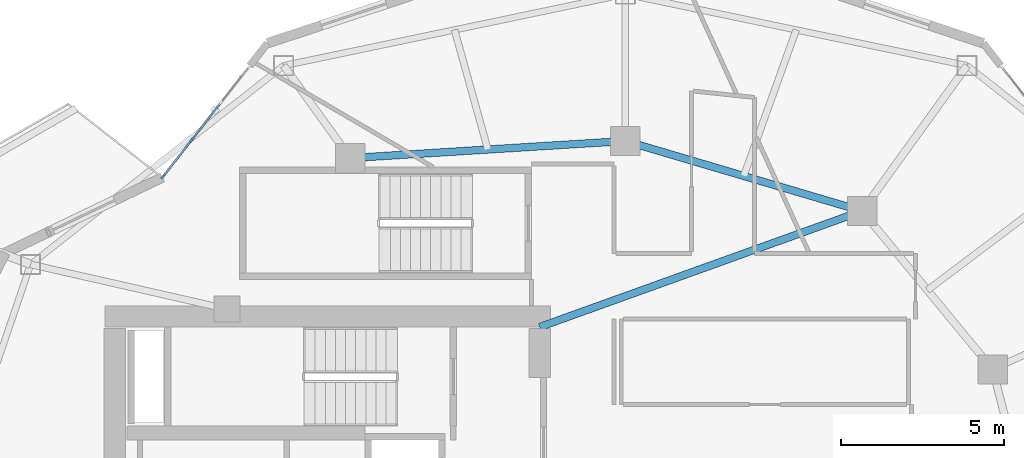
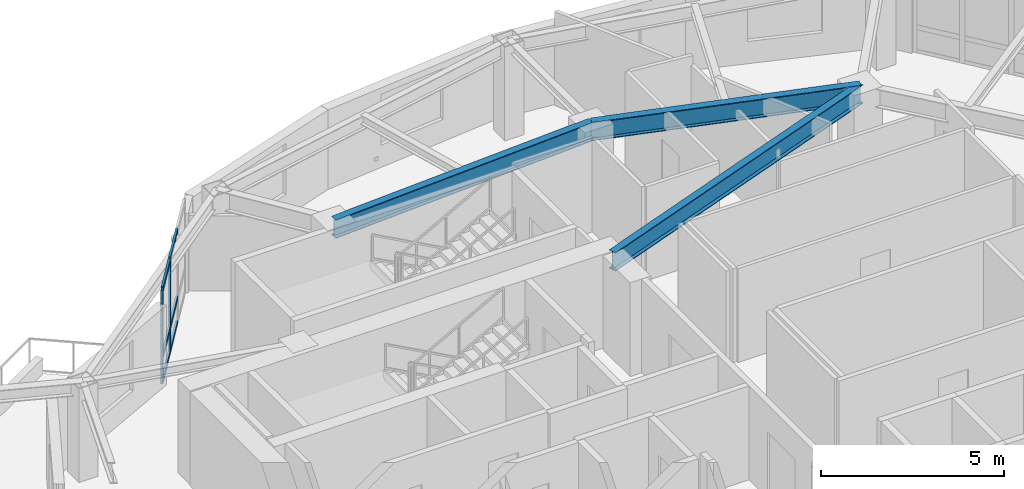
# One storey, part 2 of 13: 8 members, 3 beams, 1 element without a shape of its own.
"""IFC4 building model written with IfcOpenShell, lengths in metres."""

from ifc_helpers import new_model, si_unit, direction, frame, origin, origin_2d, place, context, subcontext, project, spatial, rectangle, i_section, extrude, material, layer, layer_set, material_profile, profile_set, type_object, element, aggregate, save


model = new_model("IFC4")

# Units and contexts
model_context = context("Model", 3, precision=1e-05, world=origin(), true_north=direction((0.0, 1.0)))
body_context = subcontext(model_context, "Body", "Model", "MODEL_VIEW")
ifc_project = project(units=[si_unit("LENGTHUNIT", "METRE"), si_unit("AREAUNIT", "SQUARE_METRE"), si_unit("VOLUMEUNIT", "CUBIC_METRE"), si_unit("PLANEANGLEUNIT", "RADIAN"), si_unit("MASSUNIT", "GRAM", prefix="KILO")], contexts=[model_context])

# Site, building, storey
site_placement = place(None, origin())
site = spatial("IfcSite", under=ifc_project, at=site_placement, CompositionType="ELEMENT")
building_placement = place(site_placement, origin())
building = spatial("IfcBuilding", under=site, at=building_placement, Name="Kolvaren Gate Tower and Convention Centre", CompositionType="ELEMENT")
storey_placement = place(building_placement, frame((0.0, 0.0, 142.699951171875)))
storey = spatial("IfcBuildingStorey", under=building, at=storey_placement, Name="L36", CompositionType="ELEMENT", Elevation=142.699951171875)

# Curtain wall, members
ifc_material_1 = material(Name="Anodized Architectural Aluminium Alloy 6063-T6", Category="aluminium")
ifc_layer = layer(ifc_material_1, 0.159912109375)
ifc_layer_set = layer_set([ifc_layer], Name="Anodized Architectural Aluminium Alloy 6063-T6")
curtain_wall_type = type_object("IfcCurtainWallType", Name="CW-HTL-UNIT", PredefinedType="NOTDEFINED", material=ifc_layer_set)
curtain_wall_placement = place(storey_placement, origin())
curtain_wall = element("IfcCurtainWall", 1, at=curtain_wall_placement, inside=storey, type_object=curtain_wall_type, Name="Tower L36 Unitised Curtain Wall CW-HTL-UNIT Bay 08", PredefinedType="NOTDEFINED")
ifc_material_profile_1 = material_profile(ifc_material_1, rectangle(XDim=0.06494140625, YDim=0.159912109375, at=origin_2d()), Name="CW-MEM-MUL-160")
ifc_profile_set_1 = profile_set([ifc_material_profile_1], Name="Anodized Architectural Aluminium Alloy 6063-T6")
member_type_1 = type_object("IfcMemberType", Name="CW-MEM-MUL-160", PredefinedType="MULLION", material=ifc_profile_set_1)
member_1_placement = place(storey_placement, frame((15.95654296875, 38.111572265625, 0.0), z_axis=(0.0, 0.0, 1.0), x_axis=(-0.787394793807, 0.616449056034, 0.0)))
member_1 = element("IfcMember", 2, at=member_1_placement, type_object=member_type_1, Name="CW-03 mullion 1", PredefinedType="MULLION", context=body_context, shape_type="SweptSolid", body=[
    extrude(rectangle(XDim=0.06494140625, YDim=0.159912109375, at=origin_2d()), origin(), (0.0, 0.0, 1.0), 3.130126953125),
])
member_2_placement = place(storey_placement, frame((16.829833984375, 39.22705078125, 0.0), z_axis=(0.0, 0.0, 1.0), x_axis=(-0.787394793807, 0.616449056034, 0.0)))
member_2 = element("IfcMember", 3, at=member_2_placement, type_object=member_type_1, Name="CW-03 mullion 2", PredefinedType="MULLION", context=body_context, shape_type="SweptSolid", body=[
    extrude(rectangle(XDim=0.06494140625, YDim=0.159912109375, at=origin_2d()), origin(), (0.0, 0.0, 1.0), 3.130126953125),
])
ifc_material_profile_2 = material_profile(ifc_material_1, rectangle(XDim=0.06494140625, YDim=0.159912109375, at=origin_2d()), Name="CW-MEM-TRN-160")
ifc_profile_set_2 = profile_set([ifc_material_profile_2], Name="Anodized Architectural Aluminium Alloy 6063-T6")
member_type_2 = type_object("IfcMemberType", Name="CW-MEM-TRN-160", PredefinedType="USERDEFINED", material=ifc_profile_set_2)
member_3_placement = place(storey_placement, frame((15.9765625, 38.13720703125, 0.032470703125), z_axis=(0.616488451497, 0.787363949626, 0.0), x_axis=(-0.787363949626, 0.616488451497, 0.0)))
member_3 = element("IfcMember", 4, at=member_3_placement, type_object=member_type_2, Name="CW-03 transom 1.1", ObjectType="TRANSOM", PredefinedType="USERDEFINED", context=body_context, shape_type="SweptSolid", body=[
    extrude(rectangle(XDim=0.06494140625, YDim=0.159912109375, at=origin_2d()), origin(), (0.0, 0.0, 1.0), 1.3515625),
])
member_4_placement = place(storey_placement, frame((15.9765625, 38.13720703125, 0.85009765625), z_axis=(0.616488451497, 0.787363949626, 0.0), x_axis=(-0.787363949626, 0.616488451497, 0.0)))
member_4 = element("IfcMember", 5, at=member_4_placement, type_object=member_type_2, Name="CW-03 transom 1.2", ObjectType="TRANSOM", PredefinedType="USERDEFINED", context=body_context, shape_type="SweptSolid", body=[
    extrude(rectangle(XDim=0.06494140625, YDim=0.159912109375, at=origin_2d()), origin(), (0.0, 0.0, 1.0), 1.3515625),
])
member_5_placement = place(storey_placement, frame((15.9765625, 38.13720703125, 3.09765625), z_axis=(0.616488451497, 0.787363949626, 0.0), x_axis=(-0.787363949626, 0.616488451497, 0.0)))
member_5 = element("IfcMember", 6, at=member_5_placement, type_object=member_type_2, Name="CW-03 transom 1.3", ObjectType="TRANSOM", PredefinedType="USERDEFINED", context=body_context, shape_type="SweptSolid", body=[
    extrude(rectangle(XDim=0.06494140625, YDim=0.159912109375, at=origin_2d()), origin(), (0.0, 0.0, 1.0), 1.3515625),
])
member_6_placement = place(storey_placement, frame((16.849853515625, 39.25244140625, 0.032470703125), z_axis=(0.616355825524, 0.787467774796, 0.0), x_axis=(-0.787467774796, 0.616355825524, 0.0)))
member_6 = element("IfcMember", 7, at=member_6_placement, type_object=member_type_2, Name="CW-03 transom 2.1", ObjectType="TRANSOM", PredefinedType="USERDEFINED", context=body_context, shape_type="SweptSolid", body=[
    extrude(rectangle(XDim=0.06494140625, YDim=0.159912109375, at=origin_2d()), origin(), (0.0, 0.0, 1.0), 1.384033203125),
])
member_7_placement = place(storey_placement, frame((16.849853515625, 39.25244140625, 0.85009765625), z_axis=(0.616355825524, 0.787467774796, 0.0), x_axis=(-0.787467774796, 0.616355825524, 0.0)))
member_7 = element("IfcMember", 8, at=member_7_placement, type_object=member_type_2, Name="CW-03 transom 2.2", ObjectType="TRANSOM", PredefinedType="USERDEFINED", context=body_context, shape_type="SweptSolid", body=[
    extrude(rectangle(XDim=0.06494140625, YDim=0.159912109375, at=origin_2d()), origin(), (0.0, 0.0, 1.0), 1.384033203125),
])
member_8_placement = place(storey_placement, frame((16.849853515625, 39.25244140625, 3.09765625), z_axis=(0.616355825524, 0.787467774796, 0.0), x_axis=(-0.787467774796, 0.616355825524, 0.0)))
member_8 = element("IfcMember", 9, at=member_8_placement, type_object=member_type_2, Name="CW-03 transom 2.3", ObjectType="TRANSOM", PredefinedType="USERDEFINED", context=body_context, shape_type="SweptSolid", body=[
    extrude(rectangle(XDim=0.06494140625, YDim=0.159912109375, at=origin_2d()), origin(), (0.0, 0.0, 1.0), 1.384033203125),
])
aggregate(curtain_wall, [member_1, member_2, member_3, member_4, member_5, member_6, member_7, member_8])

# Beams
ifc_material_2 = material(Name="Structural steel ASTM A992 Grade 345 MPa", Category="steel")
ifc_material_profile_3 = material_profile(ifc_material_2, i_section(OverallWidth=0.22998046875, OverallDepth=0.616943359375, WebThickness=0.01318359375, FlangeThickness=0.022216796875, at=origin_2d()), Name="W610X140")
ifc_profile_set_3 = profile_set([ifc_material_profile_3], Name="Structural steel ASTM A992 Grade 345 MPa")
beam_type = type_object("IfcBeamType", Name="STR-BM-W610X140", PredefinedType="BEAM", material=ifc_profile_set_3)
beam_1_placement = place(storey_placement, frame((37.381591796875, 37.054931640625, 2.821533203125), z_axis=(-0.958980837827, 0.283470902706, 0.0), x_axis=(-0.283470902706, -0.958980837827, 0.0)))
element("IfcBeam", 10, at=beam_1_placement, inside=storey, type_object=beam_type, Name="Tower L36 Primary Ring Girder G-03", PredefinedType="BEAM", context=body_context, shape_type="SweptSolid", body=[
    extrude(i_section(OverallWidth=0.22998046875, OverallDepth=0.616943359375, WebThickness=0.01318359375, FlangeThickness=0.022216796875, at=origin_2d()), origin(), (0.0, 0.0, 1.0), 7.56689453125),
])
beam_2_placement = place(storey_placement, frame((30.125, 39.199951171875, 2.821533203125), z_axis=(-0.998078258568, -0.06196603726, 0.0), x_axis=(0.06196603726, -0.998078258568, 0.0)))
element("IfcBeam", 11, at=beam_2_placement, inside=storey, type_object=beam_type, Name="Tower L36 Primary Ring Girder G-04", PredefinedType="BEAM", context=body_context, shape_type="SweptSolid", body=[
    extrude(i_section(OverallWidth=0.22998046875, OverallDepth=0.616943359375, WebThickness=0.01318359375, FlangeThickness=0.022216796875, at=origin_2d()), origin(), (0.0, 0.0, 1.0), 8.443115234375),
])
beam_3_placement = place(storey_placement, frame((27.5, 33.5, 2.821533203125), z_axis=(0.940961479908, 0.338513653093, 0.0), x_axis=(-0.338513653093, 0.940961479908, 0.0)))
element("IfcBeam", 12, at=beam_3_placement, inside=storey, type_object=beam_type, Name="Tower L36 Primary Ring Girder G-10", PredefinedType="BEAM", context=body_context, shape_type="SweptSolid", body=[
    extrude(i_section(OverallWidth=0.22998046875, OverallDepth=0.616943359375, WebThickness=0.01318359375, FlangeThickness=0.022216796875, at=origin_2d()), origin(), (0.0, 0.0, 1.0), 10.501708984375),
])

save(model, "model.ifc")
